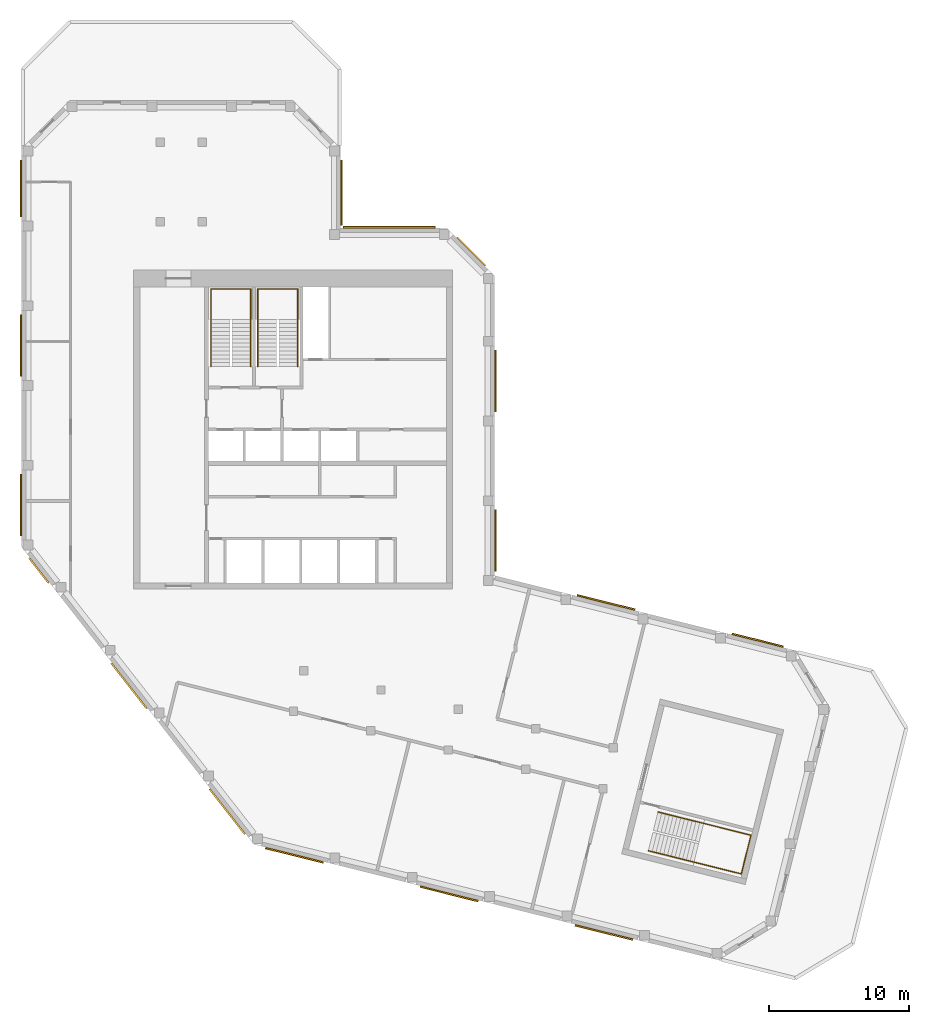
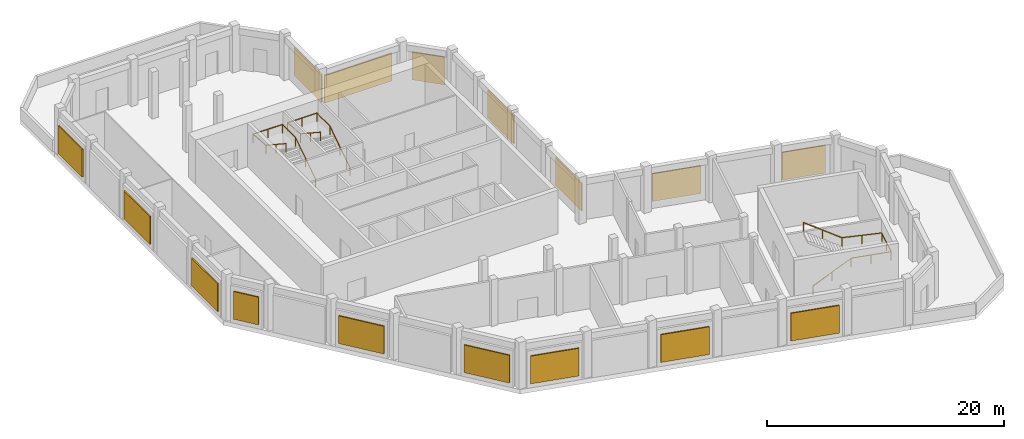
# One storey, part 6 of 6: 16 shading devices, 3 railings.
"""IFC4 building model written with IfcOpenShell, lengths in metres."""

from ifc_helpers import new_model, si_unit, direction, frame, origin, origin_2d, place, context, subcontext, project, spatial, rectangle, circle, extrude, material, layer, layer_set, type_object, element, save


model = new_model("IFC4")

# Units and contexts
model_context = context("Model", 3, precision=1e-05, world=origin(), true_north=direction((0.0, 1.0)))
body_context = subcontext(model_context, "Body", "Model", "MODEL_VIEW")
ifc_project = project(units=[si_unit("LENGTHUNIT", "METRE"), si_unit("AREAUNIT", "SQUARE_METRE"), si_unit("VOLUMEUNIT", "CUBIC_METRE"), si_unit("PLANEANGLEUNIT", "RADIAN"), si_unit("MASSUNIT", "GRAM", prefix="KILO")], contexts=[model_context])

# Site, building, storey
site_placement = place(None, origin())
site = spatial("IfcSite", under=ifc_project, at=site_placement, CompositionType="ELEMENT")
building_placement = place(site_placement, origin())
building = spatial("IfcBuilding", under=site, at=building_placement, Name="Meshkara Civic Tower", CompositionType="ELEMENT")
storey_placement = place(building_placement, frame((0.0, 0.0, 400.199951171875)))
storey = spatial("IfcBuildingStorey", under=building, at=storey_placement, Name="L92 Crown", CompositionType="ELEMENT", Elevation=400.199951171875)

# Shading devices
ifc_material_1 = material(Name="Bronze anodised aluminium louvre blades", Category="aluminium")
ifc_layer = layer(ifc_material_1, 0.1201171875)
ifc_layer_set = layer_set([ifc_layer], Name="CROWN LOUVRE BANK")
shading_device_type = type_object("IfcShadingDeviceType", Name="CROWN LOUVRE BANK", PredefinedType="USERDEFINED", material=ifc_layer_set)
shading_device_1_placement = place(storey_placement, frame((52.594970703125, 10.446044921875, 0.5), z_axis=(0.0, 0.0, 1.0), x_axis=(-0.970291503795, 0.241938830418, 0.0)))
element("IfcShadingDevice", 1, at=shading_device_1_placement, inside=storey, type_object=shading_device_type, Name="Louvre bank", ObjectType="LOUVRE", PredefinedType="USERDEFINED", context=body_context, shape_type="SweptSolid", body=[
    extrude(rectangle(XDim=3.76611328125, YDim=0.1201171875, at=origin_2d()), origin(), (0.0, 0.0, 1.0), 2.85009765625),
])
shading_device_2_placement = place(storey_placement, frame((41.76904296875, 13.14599609375, 0.5), z_axis=(0.0, 0.0, 1.0), x_axis=(-0.970291503795, 0.241938830418, 0.0)))
element("IfcShadingDevice", 2, at=shading_device_2_placement, inside=storey, type_object=shading_device_type, Name="Louvre bank", ObjectType="LOUVRE", PredefinedType="USERDEFINED", context=body_context, shape_type="SweptSolid", body=[
    extrude(rectangle(XDim=4.2509765625, YDim=0.1201171875, at=origin_2d()), origin(), (0.0, 0.0, 1.0), 2.85009765625),
])
for number, where, z_axis, x_axis, name in (
    (3, (33.860107421875, 17.569091796875, 0.5), (0.0, 0.0, 1.0), (0.0, 1.0, 0.0), "Louvre bank"),
    (4, (33.860107421875, 28.968994140625, 0.5), (0.0, 0.0, 1.0), (0.0, 1.0, 0.0), "Louvre bank"),
):
    element("IfcShadingDevice", number, at=place(storey_placement, frame(where, z_axis=z_axis, x_axis=x_axis)), inside=storey, type_object=shading_device_type, Name=name, ObjectType="LOUVRE", PredefinedType="USERDEFINED", context=body_context, shape_type="SweptSolid", body=[
        extrude(rectangle(XDim=4.39990234375, YDim=0.1201171875, at=origin_2d()), origin(), (0.0, 0.0, 1.0), 2.85009765625),
    ])
shading_device_3_placement = place(storey_placement, frame((32.132080078125, 38.23193359375, 0.5), z_axis=(0.0, 0.0, 1.0), x_axis=(-0.707106781187, 0.707106781187, 0.0)))
element("IfcShadingDevice", 5, at=shading_device_3_placement, inside=storey, type_object=shading_device_type, Name="Louvre bank", ObjectType="LOUVRE", PredefinedType="USERDEFINED", context=body_context, shape_type="SweptSolid", body=[
    extrude(rectangle(XDim=2.873046875, YDim=0.1201171875, at=origin_2d()), origin(), (0.0, 0.0, 1.0), 2.85009765625),
])
shading_device_4_placement = place(storey_placement, frame((26.27197265625, 39.9599609375, 0.5), z_axis=(0.0, 0.0, 1.0), x_axis=(-1.0, 0.0, 0.0)))
element("IfcShadingDevice", 6, at=shading_device_4_placement, inside=storey, type_object=shading_device_type, Name="Louvre bank", ObjectType="LOUVRE", PredefinedType="USERDEFINED", context=body_context, shape_type="SweptSolid", body=[
    extrude(rectangle(XDim=6.5439453125, YDim=0.1201171875, at=origin_2d()), origin(), (0.0, 0.0, 1.0), 2.85009765625),
])
shading_device_5_placement = place(storey_placement, frame((22.860107421875, 42.431884765625, 0.5), z_axis=(0.0, 0.0, 1.0), x_axis=(0.0, 1.0, 0.0)))
element("IfcShadingDevice", 7, at=shading_device_5_placement, inside=storey, type_object=shading_device_type, Name="Louvre bank", ObjectType="LOUVRE", PredefinedType="USERDEFINED", context=body_context, shape_type="SweptSolid", body=[
    extrude(rectangle(XDim=4.6640625, YDim=0.1201171875, at=origin_2d()), origin(), (0.0, 0.0, 1.0), 2.85009765625),
])
shading_device_6_placement = place(storey_placement, frame((-0.06005859375, 42.73388671875, 0.5), z_axis=(0.0, 0.0, 1.0), x_axis=(0.0, -1.0, 0.0)))
element("IfcShadingDevice", 8, at=shading_device_6_placement, inside=storey, type_object=shading_device_type, Name="Louvre bank", ObjectType="LOUVRE", PredefinedType="USERDEFINED", context=body_context, shape_type="SweptSolid", body=[
    extrude(rectangle(XDim=4.05908203125, YDim=0.1201171875, at=origin_2d()), origin(), (0.0, 0.0, 1.0), 2.85009765625),
])
for number, where, z_axis, x_axis, name in (
    (9, (-0.06005859375, 31.5048828125, 0.5), (0.0, 0.0, 1.0), (0.0, -1.0, 0.0), "Louvre bank"),
    (10, (-0.06005859375, 20.10498046875, 0.5), (0.0, 0.0, 1.0), (0.0, -1.0, 0.0), "Louvre bank"),
):
    element("IfcShadingDevice", number, at=place(storey_placement, frame(where, z_axis=z_axis, x_axis=x_axis)), inside=storey, type_object=shading_device_type, Name=name, ObjectType="LOUVRE", PredefinedType="USERDEFINED", context=body_context, shape_type="SweptSolid", body=[
        extrude(rectangle(XDim=4.39990234375, YDim=0.1201171875, at=origin_2d()), origin(), (0.0, 0.0, 1.0), 2.85009765625),
    ])
shading_device_7_placement = place(storey_placement, frame((1.22998046875, 15.427978515625, 0.5), z_axis=(0.0, 0.0, 1.0), x_axis=(0.615661475326, -0.788010753607, 0.0)))
element("IfcShadingDevice", 11, at=shading_device_7_placement, inside=storey, type_object=shading_device_type, Name="Louvre bank", ObjectType="LOUVRE", PredefinedType="USERDEFINED", context=body_context, shape_type="SweptSolid", body=[
    extrude(rectangle(XDim=2.257080078125, YDim=0.1201171875, at=origin_2d()), origin(), (0.0, 0.0, 1.0), 2.85009765625),
])
for number, where, z_axis, x_axis, name in (
    (12, (7.676025390625, 7.177001953125, 0.5), (0.0, 0.0, 1.0), (0.615661475326, -0.788010753607, 0.0), "Louvre bank"),
    (13, (14.695068359375, -1.805908203125, 0.5), (0.0, 0.0, 1.0), (0.615661475326, -0.788010753607, 0.0), "Louvre bank"),
):
    element("IfcShadingDevice", number, at=place(storey_placement, frame(where, z_axis=z_axis, x_axis=x_axis)), inside=storey, type_object=shading_device_type, Name=name, ObjectType="LOUVRE", PredefinedType="USERDEFINED", context=body_context, shape_type="SweptSolid", body=[
        extrude(rectangle(XDim=4.117919921875, YDim=0.1201171875, at=origin_2d()), origin(), (0.0, 0.0, 1.0), 2.85009765625),
    ])
for number, where, z_axis, x_axis, name in (
    (14, (19.492919921875, -4.922119140625, 0.5), (0.0, 0.0, 1.0), (0.970295726276, -0.2419218956, 0.0), "Louvre bank"),
    (15, (30.553955078125, -7.679931640625, 0.5), (0.0, 0.0, 1.0), (0.970295726276, -0.2419218956, 0.0), "Louvre bank"),
):
    element("IfcShadingDevice", number, at=place(storey_placement, frame(where, z_axis=z_axis, x_axis=x_axis)), inside=storey, type_object=shading_device_type, Name=name, ObjectType="LOUVRE", PredefinedType="USERDEFINED", context=body_context, shape_type="SweptSolid", body=[
        extrude(rectangle(XDim=4.251953125, YDim=0.1201171875, at=origin_2d()), origin(), (0.0, 0.0, 1.0), 2.85009765625),
    ])
shading_device_8_placement = place(storey_placement, frame((41.615966796875, -10.43798828125, 0.5), z_axis=(0.0, 0.0, 1.0), x_axis=(0.970295726276, -0.2419218956, 0.0)))
element("IfcShadingDevice", 16, at=shading_device_8_placement, inside=storey, type_object=shading_device_type, Name="Louvre bank", ObjectType="LOUVRE", PredefinedType="USERDEFINED", context=body_context, shape_type="SweptSolid", body=[
    extrude(rectangle(XDim=4.2509765625, YDim=0.1201171875, at=origin_2d()), origin(), (0.0, 0.0, 1.0), 2.85009765625),
])

# Railings
ifc_material_2 = material(Name="Steel handrail", Category="steel")
railing_type = type_object("IfcRailingType", Name="Stair handrail 900", PredefinedType="HANDRAIL", material=ifc_material_2)
railing_1_placement = place(storey_placement, frame((16.375, 30.0, 0.1845703125)))
element("IfcRailing", 17, at=railing_1_placement, inside=storey, type_object=railing_type, Name="L92 Crown ST1 stair handrail 1", PredefinedType="HANDRAIL", context=body_context, shape_type="SweptSolid", body=[
    extrude(circle(Radius=0.02392578125, at=origin_2d()), frame((0.0, 0.0, 0.8759765625), z_axis=(0.0, 0.834848600103, 0.550479622607), x_axis=(-1.0, 0.0, 0.0)), (0.0, 0.0, 1.0), 4.02490234375),
    extrude(circle(Radius=0.02392578125, at=origin_2d()), frame((0.0, 3.360107421875, 3.09130859375), z_axis=(0.0, 1.0, 0.0), x_axis=(-1.0, 0.0, 0.0)), (0.0, 0.0, 1.0), 2.18994140625),
    extrude(circle(Radius=0.02392578125, at=origin_2d()), frame((0.0, 5.550048828125, 3.09130859375), z_axis=(-1.0, 0.0, 0.0), x_axis=(0.0, -1.0, 0.0)), (0.0, 0.0, 1.0), 2.85009765625),
    extrude(circle(Radius=0.02392578125, at=origin_2d()), frame((-2.85009765625, 5.550048828125, 3.09130859375), z_axis=(0.0, -0.996467171765, 0.083983186383), x_axis=(1.0, 0.0, 0.0)), (0.0, 0.0, 1.0), 2.19775390625),
    extrude(circle(Radius=0.02392578125, at=origin_2d()), frame((-2.85009765625, 3.360107421875, 3.27587890625), z_axis=(0.0, -0.834876476806, 0.550437342915), x_axis=(1.0, 0.0, 0.0)), (0.0, 0.0, 1.0), 4.024658203125),
    extrude(circle(Radius=0.02099609375, at=origin_2d()), origin(), (0.0, 0.0, 1.0), 0.851806640625),
    extrude(circle(Radius=0.02099609375, at=origin_2d()), frame((0.0, 1.68017578125, 1.10791015625)), (0.0, 0.0, 1.0), 0.851806640625),
    extrude(circle(Radius=0.02099609375, at=origin_2d()), frame((0.0, 3.360107421875, 2.215576171875)), (0.0, 0.0, 1.0), 0.851806640625),
    extrude(circle(Radius=0.02099609375, at=origin_2d()), frame((0.0, 5.550048828125, 2.215576171875)), (0.0, 0.0, 1.0), 0.851806640625),
    extrude(circle(Radius=0.02099609375, at=origin_2d()), frame((-1.425048828125, 5.550048828125, 2.215576171875)), (0.0, 0.0, 1.0), 0.851806640625),
    extrude(circle(Radius=0.02099609375, at=origin_2d()), frame((-2.85009765625, 5.550048828125, 2.215576171875)), (0.0, 0.0, 1.0), 0.851806640625),
    extrude(circle(Radius=0.02099609375, at=origin_2d()), frame((-2.85009765625, 3.360107421875, 2.400146484375)), (0.0, 0.0, 1.0), 0.851806640625),
    extrude(circle(Radius=0.02099609375, at=origin_2d()), frame((-2.85009765625, 1.68017578125, 3.5078125)), (0.0, 0.0, 1.0), 0.851806640625),
    extrude(circle(Radius=0.02099609375, at=origin_2d()), frame((-2.85009765625, 0.0, 4.615478515625)), (0.0, 0.0, 1.0), 0.851806640625),
])
railing_2_placement = place(storey_placement, frame((19.72509765625, 30.0, 0.1845703125)))
element("IfcRailing", 18, at=railing_2_placement, inside=storey, type_object=railing_type, Name="L92 Crown ST2 stair handrail 1", PredefinedType="HANDRAIL", context=body_context, shape_type="SweptSolid", body=[
    extrude(circle(Radius=0.02392578125, at=origin_2d()), frame((0.0, 0.0, 0.8759765625), z_axis=(0.0, 0.834848600103, 0.550479622607), x_axis=(-1.0, 0.0, 0.0)), (0.0, 0.0, 1.0), 4.02490234375),
    extrude(circle(Radius=0.02392578125, at=origin_2d()), frame((0.0, 3.360107421875, 3.09130859375), z_axis=(0.0, 1.0, 0.0), x_axis=(-1.0, 0.0, 0.0)), (0.0, 0.0, 1.0), 2.18994140625),
    extrude(circle(Radius=0.02392578125, at=origin_2d()), frame((0.0, 5.550048828125, 3.09130859375), z_axis=(-1.0, 0.0, 0.0), x_axis=(0.0, -1.0, 0.0)), (0.0, 0.0, 1.0), 2.85009765625),
    extrude(circle(Radius=0.02392578125, at=origin_2d()), frame((-2.85009765625, 5.550048828125, 3.09130859375), z_axis=(0.0, -0.996467171765, 0.083983186383), x_axis=(1.0, 0.0, 0.0)), (0.0, 0.0, 1.0), 2.19775390625),
    extrude(circle(Radius=0.02392578125, at=origin_2d()), frame((-2.85009765625, 3.360107421875, 3.27587890625), z_axis=(0.0, -0.834876476806, 0.550437342915), x_axis=(1.0, 0.0, 0.0)), (0.0, 0.0, 1.0), 4.024658203125),
    extrude(circle(Radius=0.02099609375, at=origin_2d()), origin(), (0.0, 0.0, 1.0), 0.851806640625),
    extrude(circle(Radius=0.02099609375, at=origin_2d()), frame((0.0, 1.68017578125, 1.10791015625)), (0.0, 0.0, 1.0), 0.851806640625),
    extrude(circle(Radius=0.02099609375, at=origin_2d()), frame((0.0, 3.360107421875, 2.215576171875)), (0.0, 0.0, 1.0), 0.851806640625),
    extrude(circle(Radius=0.02099609375, at=origin_2d()), frame((0.0, 5.550048828125, 2.215576171875)), (0.0, 0.0, 1.0), 0.851806640625),
    extrude(circle(Radius=0.02099609375, at=origin_2d()), frame((-1.425048828125, 5.550048828125, 2.215576171875)), (0.0, 0.0, 1.0), 0.851806640625),
    extrude(circle(Radius=0.02099609375, at=origin_2d()), frame((-2.85009765625, 5.550048828125, 2.215576171875)), (0.0, 0.0, 1.0), 0.851806640625),
    extrude(circle(Radius=0.02099609375, at=origin_2d()), frame((-2.85009765625, 3.360107421875, 2.400146484375)), (0.0, 0.0, 1.0), 0.851806640625),
    extrude(circle(Radius=0.02099609375, at=origin_2d()), frame((-2.85009765625, 1.68017578125, 3.5078125)), (0.0, 0.0, 1.0), 0.851806640625),
    extrude(circle(Radius=0.02099609375, at=origin_2d()), frame((-2.85009765625, 0.0, 4.615478515625)), (0.0, 0.0, 1.0), 0.851806640625),
])
railing_3_placement = place(storey_placement, frame((44.788330078125, -4.596435546875, 0.1845703125)))
element("IfcRailing", 19, at=railing_3_placement, inside=storey, type_object=railing_type, Name="L92 Crown ESB7 stair handrail 1", PredefinedType="HANDRAIL", context=body_context, shape_type="SweptSolid", body=[
    extrude(circle(Radius=0.02392578125, at=origin_2d()), frame((0.0, 0.0, 0.8759765625), z_axis=(0.810022159928, -0.202111265305, 0.550468107035), x_axis=(0.242091113389, 0.970253519869, 0.0)), (0.0, 0.0, 1.0), 4.02490234375),
    extrude(circle(Radius=0.02392578125, at=origin_2d()), frame((3.26025390625, -0.8134765625, 3.09130859375), z_axis=(0.970265823201, -0.242041798722, 0.0), x_axis=(0.242041798722, 0.970265823201, 0.0)), (0.0, 0.0, 1.0), 3.489990234375),
    extrude(circle(Radius=0.02392578125, at=origin_2d()), frame((6.646484375, -1.658203125, 3.09130859375), z_axis=(0.242011504348, 0.970273379911, 0.0), x_axis=(-0.970273379911, 0.242011504348, 0.0)), (0.0, 0.0, 1.0), 2.849853515625),
    extrude(circle(Radius=0.02392578125, at=origin_2d()), frame((7.336181640625, 1.10693359375, 3.09130859375), z_axis=(-0.96889544788, 0.241769801378, 0.052810739625), x_axis=(-0.242107653109, -0.97024939284, 0.0)), (0.0, 0.0, 1.0), 3.494873046875),
    extrude(circle(Radius=0.02392578125, at=origin_2d()), frame((3.949951171875, 1.951904296875, 3.27587890625), z_axis=(-0.810038279899, 0.202069760379, 0.550459623441), x_axis=(-0.242039776629, -0.970266327628, 0.0)), (0.0, 0.0, 1.0), 4.0244140625),
    extrude(circle(Radius=0.02099609375, at=origin_2d()), origin(), (0.0, 0.0, 1.0), 0.851806640625),
    extrude(circle(Radius=0.02099609375, at=origin_2d()), frame((1.630126953125, -0.40673828125, 1.10791015625)), (0.0, 0.0, 1.0), 0.851806640625),
    extrude(circle(Radius=0.02099609375, at=origin_2d()), frame((3.26025390625, -0.8134765625, 2.215576171875)), (0.0, 0.0, 1.0), 0.851806640625),
    extrude(circle(Radius=0.02099609375, at=origin_2d()), frame((4.953369140625, -1.23583984375, 2.215576171875)), (0.0, 0.0, 1.0), 0.851806640625),
    extrude(circle(Radius=0.02099609375, at=origin_2d()), frame((6.646484375, -1.658203125, 2.215576171875)), (0.0, 0.0, 1.0), 0.851806640625),
    extrude(circle(Radius=0.02099609375, at=origin_2d()), frame((6.9912109375, -0.275634765625, 2.215576171875)), (0.0, 0.0, 1.0), 0.851806640625),
    extrude(circle(Radius=0.02099609375, at=origin_2d()), frame((7.336181640625, 1.10693359375, 2.215576171875)), (0.0, 0.0, 1.0), 0.851806640625),
    extrude(circle(Radius=0.02099609375, at=origin_2d()), frame((5.64306640625, 1.529296875, 2.307861328125)), (0.0, 0.0, 1.0), 0.851806640625),
    extrude(circle(Radius=0.02099609375, at=origin_2d()), frame((3.949951171875, 1.951904296875, 2.400146484375)), (0.0, 0.0, 1.0), 0.851806640625),
    extrude(circle(Radius=0.02099609375, at=origin_2d()), frame((2.31982421875, 2.3583984375, 3.5078125)), (0.0, 0.0, 1.0), 0.851806640625),
    extrude(circle(Radius=0.02099609375, at=origin_2d()), frame((0.68994140625, 2.76513671875, 4.615478515625)), (0.0, 0.0, 1.0), 0.851806640625),
])

save(model, "model.ifc")
